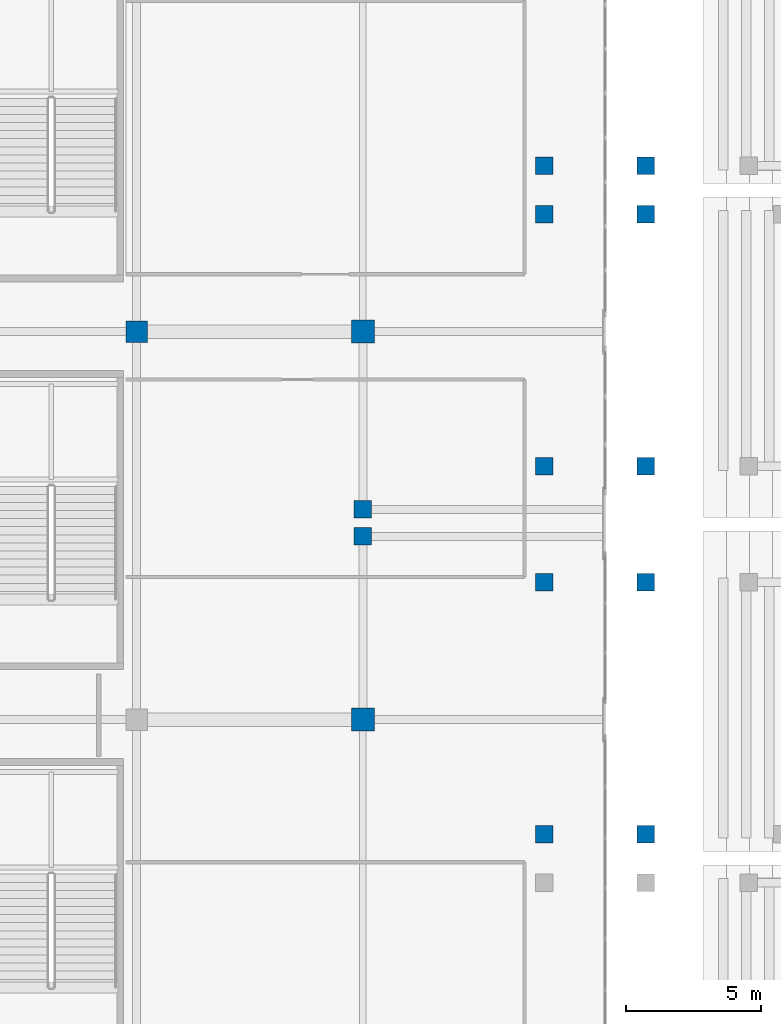
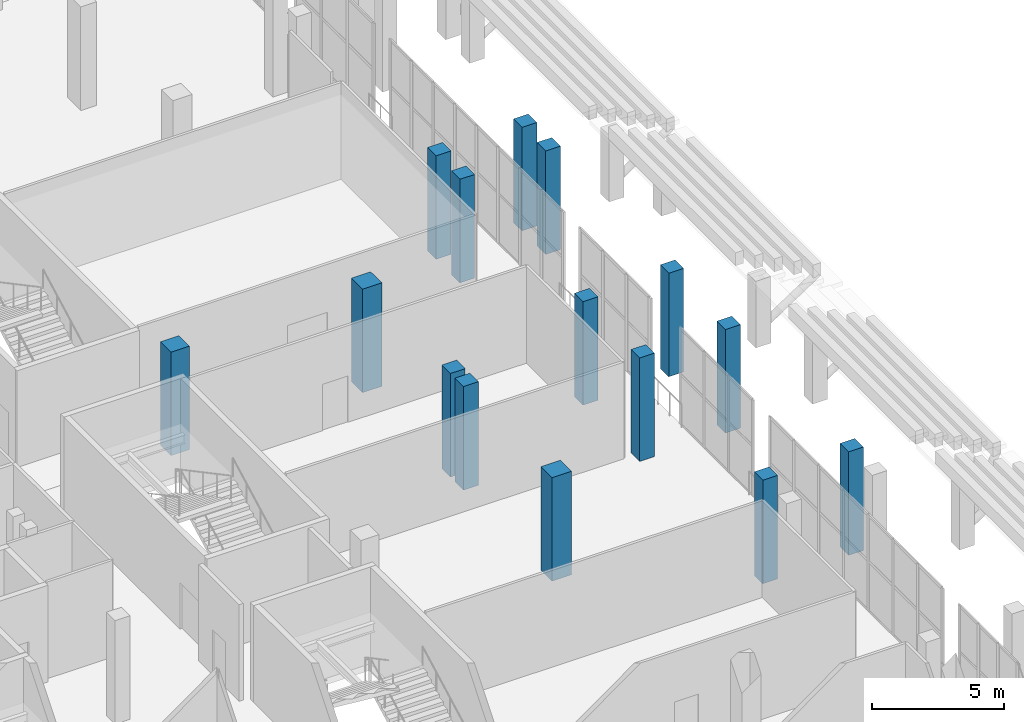
# One storey, part 6 of 142: 15 columns.
"""IFC4 building model written with IfcOpenShell, lengths in metres."""

from ifc_helpers import new_model, si_unit, direction, frame, origin, origin_2d, place, context, subcontext, project, spatial, rectangle, extrude, material, material_profile, profile_set, type_object, element, save


model = new_model("IFC4")

# Units and contexts
model_context = context("Model", 3, precision=1e-05, world=origin(), true_north=direction((0.0, 1.0)))
body_context = subcontext(model_context, "Body", "Model", "MODEL_VIEW")
ifc_project = project(units=[si_unit("LENGTHUNIT", "METRE"), si_unit("AREAUNIT", "SQUARE_METRE"), si_unit("VOLUMEUNIT", "CUBIC_METRE"), si_unit("PLANEANGLEUNIT", "RADIAN"), si_unit("MASSUNIT", "GRAM", prefix="KILO")], contexts=[model_context])

# Site, building, storey
site_placement = place(None, origin())
site = spatial("IfcSite", under=ifc_project, at=site_placement, CompositionType="ELEMENT")
building_placement = place(site_placement, origin())
building = spatial("IfcBuilding", under=site, at=building_placement, Name="Koshinbarg Plaza Stadium", CompositionType="ELEMENT")
storey_placement = place(building_placement, frame((0.0, 0.0, 10.199951171875)))
storey = spatial("IfcBuildingStorey", under=building, at=storey_placement, Name="L02", CompositionType="ELEMENT", Elevation=10.199951171875)

# Columns
ifc_material = material(Name="Concrete C40/50", Category="concrete")
ifc_material_profile_1 = material_profile(ifc_material, rectangle(XDim=0.64990234375, YDim=0.64990234375, at=origin_2d()), Name="RC 650x650")
ifc_profile_set_1 = profile_set([ifc_material_profile_1], Name="Concrete C40/50")
column_type_1 = type_object("IfcColumnType", Name="COL-RC-05", PredefinedType="COLUMN", material=ifc_profile_set_1)
for number, where, z_axis, x_axis, name in (
    (1, (54.60009765625, 75.5, 0.0), (0.0, 0.0, 1.0), (1.0, 0.0, 0.0), "L02 column 8/K"),
    (2, (54.60009765625, 76.5, 0.0), (0.0, 0.0, 1.0), (1.0, 0.0, 0.0), "L02 column 8/L"),
    (3, (65.10009765625, 64.449951171875, 0.0), (0.0, 0.0, 1.0), (1.0, 0.0, 0.0), "L02 bowl raker column UT-W04-L-CM"),
    (4, (61.340087890625, 64.449951171875, 0.0), (0.0, 0.0, 1.0), (1.0, 0.0, 0.0), "L02 bowl raker column UT-W04-L-CB"),
    (5, (65.10009765625, 73.800048828125, 0.0), (0.0, 0.0, 1.0), (1.0, 0.0, 0.0), "L02 bowl raker column UT-W04-R-CM"),
    (6, (61.340087890625, 73.800048828125, 0.0), (0.0, 0.0, 1.0), (1.0, 0.0, 0.0), "L02 bowl raker column UT-W04-R-CB"),
    (7, (65.10009765625, 78.10009765625, 0.0), (0.0, 0.0, 1.0), (1.0, 0.0, 0.0), "L02 bowl raker column UT-W05-L-CM"),
    (8, (61.340087890625, 78.10009765625, 0.0), (0.0, 0.0, 1.0), (1.0, 0.0, 0.0), "L02 bowl raker column UT-W05-L-CB"),
    (9, (65.10009765625, 87.449951171875, 0.0), (0.0, 0.0, 1.0), (1.0, 0.0, 0.0), "L02 bowl raker column UT-W05-R-CM"),
    (10, (61.340087890625, 87.449951171875, 0.0), (0.0, 0.0, 1.0), (1.0, 0.0, 0.0), "L02 bowl raker column UT-W05-R-CB"),
    (11, (65.10009765625, 89.25, 0.0), (0.0, 0.0, 1.0), (1.0, 0.0, 0.0), "L02 bowl raker column UT-W06-L-CM"),
    (12, (61.340087890625, 89.25, 0.0), (0.0, 0.0, 1.0), (1.0, 0.0, 0.0), "L02 bowl raker column UT-W06-L-CB"),
):
    element("IfcColumn", number, at=place(storey_placement, frame(where, z_axis=z_axis, x_axis=x_axis)), inside=storey, type_object=column_type_1, Name=name, PredefinedType="COLUMN", context=body_context, shape_type="SweptSolid", body=[
        extrude(rectangle(XDim=0.64990234375, YDim=0.64990234375, at=origin_2d()), origin(), (0.0, 0.0, 1.0), 4.800048828125),
    ])
ifc_material_profile_2 = material_profile(ifc_material, rectangle(XDim=0.800048828125, YDim=0.800048828125, at=origin_2d()), Name="RC 800x800")
ifc_profile_set_2 = profile_set([ifc_material_profile_2], Name="Concrete C40/50")
column_type_2 = type_object("IfcColumnType", Name="COL-RC-08", PredefinedType="COLUMN", material=ifc_profile_set_2)
column_placement = place(storey_placement, frame((46.199951171875, 83.10009765625, 0.0), z_axis=(0.0, 0.0, 1.0), x_axis=(1.0, 0.0, 0.0)))
element("IfcColumn", 13, at=column_placement, inside=storey, type_object=column_type_2, Name="L02 column 7/M", PredefinedType="COLUMN", context=body_context, shape_type="SweptSolid", body=[
    extrude(rectangle(XDim=0.800048828125, YDim=0.800048828125, at=origin_2d()), origin(), (0.0, 0.0, 1.0), 4.800048828125),
])
ifc_material_profile_3 = material_profile(ifc_material, rectangle(XDim=0.85009765625, YDim=0.85009765625, at=origin_2d()), Name="RC 850x850")
ifc_profile_set_3 = profile_set([ifc_material_profile_3], Name="Concrete C40/50")
column_type_3 = type_object("IfcColumnType", Name="COL-RC-09", PredefinedType="COLUMN", material=ifc_profile_set_3)
for number, where, z_axis, x_axis, name in (
    (14, (54.60009765625, 68.699951171875, 0.0), (0.0, 0.0, 1.0), (1.0, 0.0, 0.0), "L02 column 8/J"),
    (15, (54.60009765625, 83.10009765625, 0.0), (0.0, 0.0, 1.0), (1.0, 0.0, 0.0), "L02 column 8/M"),
):
    element("IfcColumn", number, at=place(storey_placement, frame(where, z_axis=z_axis, x_axis=x_axis)), inside=storey, type_object=column_type_3, Name=name, PredefinedType="COLUMN", context=body_context, shape_type="SweptSolid", body=[
        extrude(rectangle(XDim=0.85009765625, YDim=0.85009765625, at=origin_2d()), origin(), (0.0, 0.0, 1.0), 4.800048828125),
    ])

save(model, "model.ifc")
